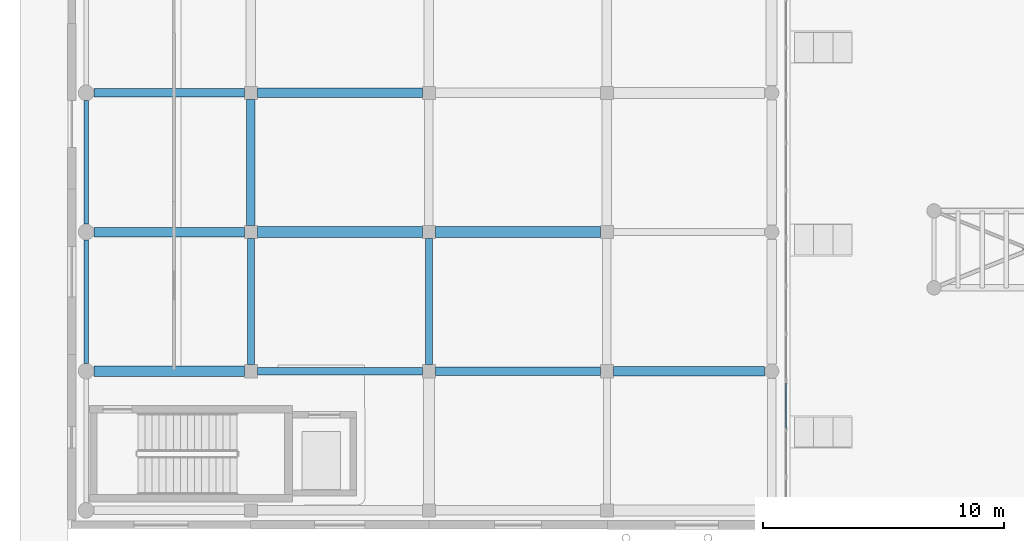
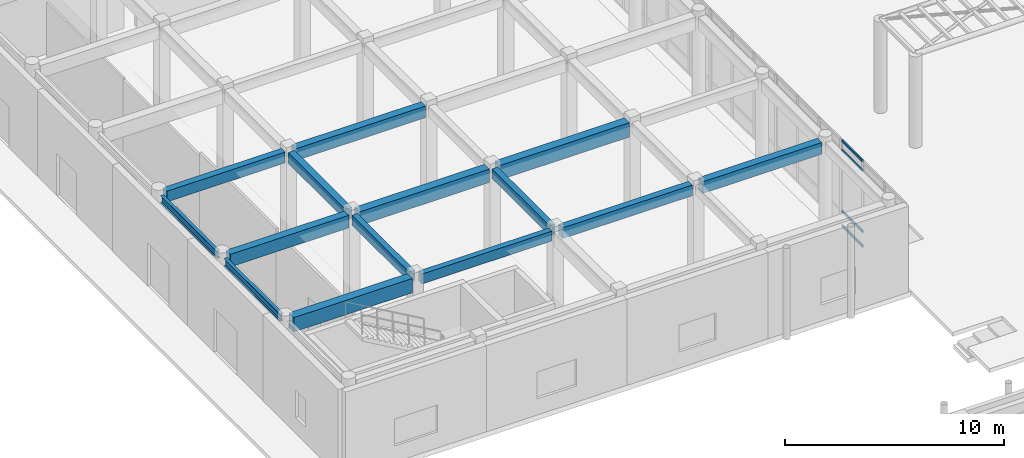
# One storey, part 22 of 121: 14 beams, 4 members, 1 element without a shape of its own.
"""IFC4 building model written with IfcOpenShell, lengths in metres."""

from ifc_helpers import new_model, si_unit, direction, frame, origin, origin_2d, place, context, subcontext, project, spatial, rectangle, hollow_rectangle, i_section, extrude, material, layer, layer_set, material_profile, profile_set, type_object, element, aggregate, save


model = new_model("IFC4")

# Units and contexts
model_context = context("Model", 3, precision=1e-05, world=origin(), true_north=direction((0.0, 1.0)))
body_context = subcontext(model_context, "Body", "Model", "MODEL_VIEW")
ifc_project = project(units=[si_unit("LENGTHUNIT", "METRE"), si_unit("AREAUNIT", "SQUARE_METRE"), si_unit("VOLUMEUNIT", "CUBIC_METRE"), si_unit("PLANEANGLEUNIT", "RADIAN"), si_unit("MASSUNIT", "GRAM", prefix="KILO")], contexts=[model_context])

# Site, building, storey
site_placement = place(None, origin())
site = spatial("IfcSite", under=ifc_project, at=site_placement, CompositionType="ELEMENT")
building_placement = place(site_placement, origin())
building = spatial("IfcBuilding", under=site, at=building_placement, Name="Valcora Specialist Clinic", CompositionType="ELEMENT")
storey_placement = place(building_placement, origin())
storey = spatial("IfcBuildingStorey", under=building, at=storey_placement, Name="L00", CompositionType="ELEMENT", Elevation=0.0)

# Beams
ifc_material_1 = material(Name="Steel ASTM A992 Grade 50", Category="steel")
ifc_material_profile_1 = material_profile(ifc_material_1, i_section(OverallWidth=0.177978515625, OverallDepth=0.406005859375, WebThickness=0.008056640625, FlangeThickness=0.012939453125, at=origin_2d()), Name="ST-IR-410X180")
ifc_profile_set_1 = profile_set([ifc_material_profile_1], Name="Steel ASTM A992 Grade 50")
beam_type_1 = type_object("IfcBeamType", Name="TY-BM-IR410", PredefinedType="SPANDREL", material=ifc_profile_set_1)
beam_1_placement = place(storey_placement, frame((0.75, 44.861083984375, 4.60302734375), z_axis=(0.0, 1.0, 0.0), x_axis=(-1.0, 0.0, 0.0)))
element("IfcBeam", 1, at=beam_1_placement, inside=storey, type_object=beam_type_1, Name="Beam BM-L00-0101", PredefinedType="SPANDREL", context=body_context, shape_type="SweptSolid", body=[
    extrude(i_section(OverallWidth=0.177978515625, OverallDepth=0.406005859375, WebThickness=0.008056640625, FlangeThickness=0.012939453125, at=origin_2d()), origin(), (0.0, 0.0, 1.0), 5.135009765625),
])
beam_2_placement = place(storey_placement, frame((0.75, 50.64599609375, 4.60302734375), z_axis=(0.0, 1.0, 0.0), x_axis=(-1.0, 0.0, 0.0)))
element("IfcBeam", 2, at=beam_2_placement, inside=storey, type_object=beam_type_1, Name="Beam BM-L00-0102", PredefinedType="SPANDREL", context=body_context, shape_type="SweptSolid", body=[
    extrude(i_section(OverallWidth=0.177978515625, OverallDepth=0.406005859375, WebThickness=0.008056640625, FlangeThickness=0.012939453125, at=origin_2d()), origin(), (0.0, 0.0, 1.0), 5.135986328125),
])
ifc_material_2 = material(Name="Concrete C40/50", Category="concrete")
ifc_material_profile_2 = material_profile(ifc_material_2, rectangle(XDim=0.300048828125, YDim=0.550048828125, at=origin_2d()), Name="RC-BM-300X550")
ifc_profile_set_2 = profile_set([ifc_material_profile_2], Name="Concrete C40/50")
beam_type_2 = type_object("IfcBeamType", Name="TY-BM-RC300X550", PredefinedType="BEAM", material=ifc_profile_set_2)
beam_3_placement = place(storey_placement, frame((7.875, 44.535888671875, 4.534912109375), z_axis=(1.0, 0.0, 0.0), x_axis=(0.0, 1.0, 0.0)))
element("IfcBeam", 3, at=beam_3_placement, inside=storey, type_object=beam_type_2, Name="Beam BM-L00-0073", PredefinedType="BEAM", context=body_context, shape_type="SweptSolid", body=[
    extrude(rectangle(XDim=0.300048828125, YDim=0.550048828125, at=origin_2d()), origin(), (0.0, 0.0, 1.0), 6.85009765625),
])
for number, where, z_axis, x_axis, name in (
    (4, (7.60009765625, 44.81103515625, 4.534912109375), (0.0, 1.0, 0.0), (-1.0, 0.0, 0.0), "Beam BM-L00-0107"),
    (5, (15.0, 44.81103515625, 4.534912109375), (0.0, 1.0, 0.0), (-1.0, 0.0, 0.0), "Beam BM-L00-0113"),
):
    element("IfcBeam", number, at=place(storey_placement, frame(where, z_axis=z_axis, x_axis=x_axis)), inside=storey, type_object=beam_type_2, Name=name, PredefinedType="BEAM", context=body_context, shape_type="SweptSolid", body=[
        extrude(rectangle(XDim=0.300048828125, YDim=0.550048828125, at=origin_2d()), origin(), (0.0, 0.0, 1.0), 5.23486328125),
    ])
ifc_material_profile_3 = material_profile(ifc_material_2, rectangle(XDim=0.35009765625, YDim=0.60009765625, at=origin_2d()), Name="RC-BM-350X600")
ifc_profile_set_3 = profile_set([ifc_material_profile_3], Name="Concrete C40/50")
beam_type_3 = type_object("IfcBeamType", Name="TY-BM-RC350X600", PredefinedType="BEAM", material=ifc_profile_set_3)
beam_4_placement = place(storey_placement, frame((15.27490234375, 44.535888671875, 4.510009765625), z_axis=(1.0, 0.0, 0.0), x_axis=(0.0, 1.0, 0.0)))
element("IfcBeam", 6, at=beam_4_placement, inside=storey, type_object=beam_type_3, Name="Beam BM-L00-0074", PredefinedType="BEAM", context=body_context, shape_type="SweptSolid", body=[
    extrude(rectangle(XDim=0.35009765625, YDim=0.60009765625, at=origin_2d()), origin(), (0.0, 0.0, 1.0), 6.85009765625),
])
beam_5_placement = place(storey_placement, frame((1.074951171875, 56.10693359375, 4.510009765625), z_axis=(1.0, 0.0, 0.0), x_axis=(0.0, 1.0, 0.0)))
element("IfcBeam", 7, at=beam_5_placement, inside=storey, type_object=beam_type_3, Name="Beam BM-L00-0080", PredefinedType="BEAM", context=body_context, shape_type="SweptSolid", body=[
    extrude(rectangle(XDim=0.35009765625, YDim=0.60009765625, at=origin_2d()), origin(), (0.0, 0.0, 1.0), 6.25),
])
beam_6_placement = place(storey_placement, frame((7.60009765625, 50.595947265625, 4.510009765625), z_axis=(0.0, 1.0, 0.0), x_axis=(-1.0, 0.0, 0.0)))
element("IfcBeam", 8, at=beam_6_placement, inside=storey, type_object=beam_type_3, Name="Beam BM-L00-0108", PredefinedType="BEAM", context=body_context, shape_type="SweptSolid", body=[
    extrude(rectangle(XDim=0.35009765625, YDim=0.60009765625, at=origin_2d()), origin(), (0.0, 0.0, 1.0), 5.236083984375),
])
ifc_material_profile_4 = material_profile(ifc_material_2, rectangle(XDim=0.39990234375, YDim=0.64990234375, at=origin_2d()), Name="RC-BM-400X650")
ifc_profile_set_4 = profile_set([ifc_material_profile_4], Name="Concrete C40/50")
beam_type_4 = type_object("IfcBeamType", Name="TY-BM-RC400X650", PredefinedType="BEAM", material=ifc_profile_set_4)
beam_7_placement = place(storey_placement, frame((22.675048828125, 44.535888671875, 4.485107421875), z_axis=(1.0, 0.0, 0.0), x_axis=(0.0, 1.0, 0.0)))
element("IfcBeam", 9, at=beam_7_placement, inside=storey, type_object=beam_type_4, Name="Beam BM-L00-0075", PredefinedType="BEAM", context=body_context, shape_type="SweptSolid", body=[
    extrude(rectangle(XDim=0.39990234375, YDim=0.64990234375, at=origin_2d()), origin(), (0.0, 0.0, 1.0), 6.27490234375),
])
beam_8_placement = place(storey_placement, frame((7.875, 56.10693359375, 4.485107421875), z_axis=(1.0, 0.0, 0.0), x_axis=(0.0, 1.0, 0.0)))
element("IfcBeam", 10, at=beam_8_placement, inside=storey, type_object=beam_type_4, Name="Beam BM-L00-0081", PredefinedType="BEAM", context=body_context, shape_type="SweptSolid", body=[
    extrude(rectangle(XDim=0.39990234375, YDim=0.64990234375, at=origin_2d()), origin(), (0.0, 0.0, 1.0), 6.85009765625),
])
ifc_material_profile_5 = material_profile(ifc_material_2, rectangle(XDim=0.39990234375, YDim=0.699951171875, at=origin_2d()), Name="RC-BM-400X700")
ifc_profile_set_5 = profile_set([ifc_material_profile_5], Name="Concrete C40/50")
beam_type_5 = type_object("IfcBeamType", Name="TY-BM-RC400X700", PredefinedType="BEAM", material=ifc_profile_set_5)
beam_9_placement = place(storey_placement, frame((1.074951171875, 50.321044921875, 4.4599609375), z_axis=(1.0, 0.0, 0.0), x_axis=(0.0, 1.0, 0.0)))
element("IfcBeam", 11, at=beam_9_placement, inside=storey, type_object=beam_type_5, Name="Beam BM-L00-0076", PredefinedType="BEAM", context=body_context, shape_type="SweptSolid", body=[
    extrude(rectangle(XDim=0.39990234375, YDim=0.699951171875, at=origin_2d()), origin(), (0.0, 0.0, 1.0), 6.25),
])
ifc_material_profile_6 = material_profile(ifc_material_2, rectangle(XDim=0.449951171875, YDim=0.75, at=origin_2d()), Name="RC-BM-450X750")
ifc_profile_set_6 = profile_set([ifc_material_profile_6], Name="Concrete C40/50")
beam_type_6 = type_object("IfcBeamType", Name="TY-BM-RC450X750", PredefinedType="BEAM", material=ifc_profile_set_6)
beam_10_placement = place(storey_placement, frame((7.875, 50.321044921875, 4.43505859375), z_axis=(1.0, 0.0, 0.0), x_axis=(0.0, 1.0, 0.0)))
element("IfcBeam", 12, at=beam_10_placement, inside=storey, type_object=beam_type_6, Name="Beam BM-L00-0077", PredefinedType="BEAM", context=body_context, shape_type="SweptSolid", body=[
    extrude(rectangle(XDim=0.449951171875, YDim=0.75, at=origin_2d()), origin(), (0.0, 0.0, 1.0), 6.85009765625),
])
ifc_material_profile_7 = material_profile(ifc_material_2, rectangle(XDim=0.449951171875, YDim=0.800048828125, at=origin_2d()), Name="RC-BM-450X800")
ifc_profile_set_7 = profile_set([ifc_material_profile_7], Name="Concrete C40/50")
beam_type_7 = type_object("IfcBeamType", Name="TY-BM-RC450X800", PredefinedType="BEAM", material=ifc_profile_set_7)
beam_11_placement = place(storey_placement, frame((1.074951171875, 44.535888671875, 4.409912109375), z_axis=(1.0, 0.0, 0.0), x_axis=(0.0, 1.0, 0.0)))
element("IfcBeam", 13, at=beam_11_placement, inside=storey, type_object=beam_type_7, Name="Beam BM-L00-0072", PredefinedType="BEAM", context=body_context, shape_type="SweptSolid", body=[
    extrude(rectangle(XDim=0.449951171875, YDim=0.800048828125, at=origin_2d()), origin(), (0.0, 0.0, 1.0), 6.25),
])
beam_12_placement = place(storey_placement, frame((15.27490234375, 50.321044921875, 4.409912109375), z_axis=(1.0, 0.0, 0.0), x_axis=(0.0, 1.0, 0.0)))
element("IfcBeam", 14, at=beam_12_placement, inside=storey, type_object=beam_type_7, Name="Beam BM-L00-0078", PredefinedType="BEAM", context=body_context, shape_type="SweptSolid", body=[
    extrude(rectangle(XDim=0.449951171875, YDim=0.800048828125, at=origin_2d()), origin(), (0.0, 0.0, 1.0), 6.85009765625),
])

# Curtain wall, members
ifc_material_3 = material(Name="Anodized Bronze Aluminium 6063-T6", Category="aluminium")
ifc_layer = layer(ifc_material_3, 0.175048828125)
ifc_layer_set = layer_set([ifc_layer], Name="Anodized Bronze Aluminium 6063-T6")
curtain_wall_type = type_object("IfcCurtainWallType", Name="TY-CW-HAL18", PredefinedType="NOTDEFINED", material=ifc_layer_set)
curtain_wall_placement = place(storey_placement, origin())
curtain_wall = element("IfcCurtainWall", 15, at=curtain_wall_placement, inside=storey, type_object=curtain_wall_type, Name="Curtain wall CW-L00-007", PredefinedType="NOTDEFINED")
ifc_material_profile_8 = material_profile(ifc_material_3, hollow_rectangle(XDim=0.06494140625, YDim=0.1298828125, WallThickness=0.00390625, at=origin_2d()), Name="AL-TRN-65X130")
ifc_profile_set_8 = profile_set([ifc_material_profile_8], Name="Anodized Bronze Aluminium 6063-T6")
member_type = type_object("IfcMemberType", Name="TY-CWT-65X130", PredefinedType="USERDEFINED", material=ifc_profile_set_8)
member_1_placement = place(storey_placement, frame((29.85009765625, 44.0419921875, 0.032470703125), z_axis=(0.0, -1.0, 0.0), x_axis=(1.0, 0.0, 0.0)))
member_1 = element("IfcMember", 16, at=member_1_placement, type_object=member_type, Name="CW-HAL-18 transom 1.1", ObjectType="TRANSOM", PredefinedType="USERDEFINED", context=body_context, shape_type="SweptSolid", body=[
    extrude(hollow_rectangle(XDim=0.06494140625, YDim=0.1298828125, WallThickness=0.00390625, at=origin_2d()), origin(), (0.0, 0.0, 1.0), 1.88818359375),
])
member_2_placement = place(storey_placement, frame((29.85009765625, 44.0419921875, 0.85009765625), z_axis=(0.0, -1.0, 0.0), x_axis=(1.0, 0.0, 0.0)))
member_2 = element("IfcMember", 17, at=member_2_placement, type_object=member_type, Name="CW-HAL-18 transom 1.2", ObjectType="TRANSOM", PredefinedType="USERDEFINED", context=body_context, shape_type="SweptSolid", body=[
    extrude(hollow_rectangle(XDim=0.06494140625, YDim=0.1298828125, WallThickness=0.00390625, at=origin_2d()), origin(), (0.0, 0.0, 1.0), 1.88818359375),
])
member_3_placement = place(storey_placement, frame((29.85009765625, 44.0419921875, 4.260009765625), z_axis=(0.0, -1.0, 0.0), x_axis=(1.0, 0.0, 0.0)))
member_3 = element("IfcMember", 18, at=member_3_placement, type_object=member_type, Name="CW-HAL-18 transom 1.3", ObjectType="TRANSOM", PredefinedType="USERDEFINED", context=body_context, shape_type="SweptSolid", body=[
    extrude(hollow_rectangle(XDim=0.06494140625, YDim=0.1298828125, WallThickness=0.00390625, at=origin_2d()), origin(), (0.0, 0.0, 1.0), 1.88818359375),
])
member_4_placement = place(storey_placement, frame((29.85009765625, 44.0419921875, 4.777587890625), z_axis=(0.0, -1.0, 0.0), x_axis=(1.0, 0.0, 0.0)))
member_4 = element("IfcMember", 19, at=member_4_placement, type_object=member_type, Name="CW-HAL-18 transom 1.4", ObjectType="TRANSOM", PredefinedType="USERDEFINED", context=body_context, shape_type="SweptSolid", body=[
    extrude(hollow_rectangle(XDim=0.06494140625, YDim=0.1298828125, WallThickness=0.00390625, at=origin_2d()), origin(), (0.0, 0.0, 1.0), 1.88818359375),
])
aggregate(curtain_wall, [member_1, member_2, member_3, member_4])

save(model, "model.ifc")
